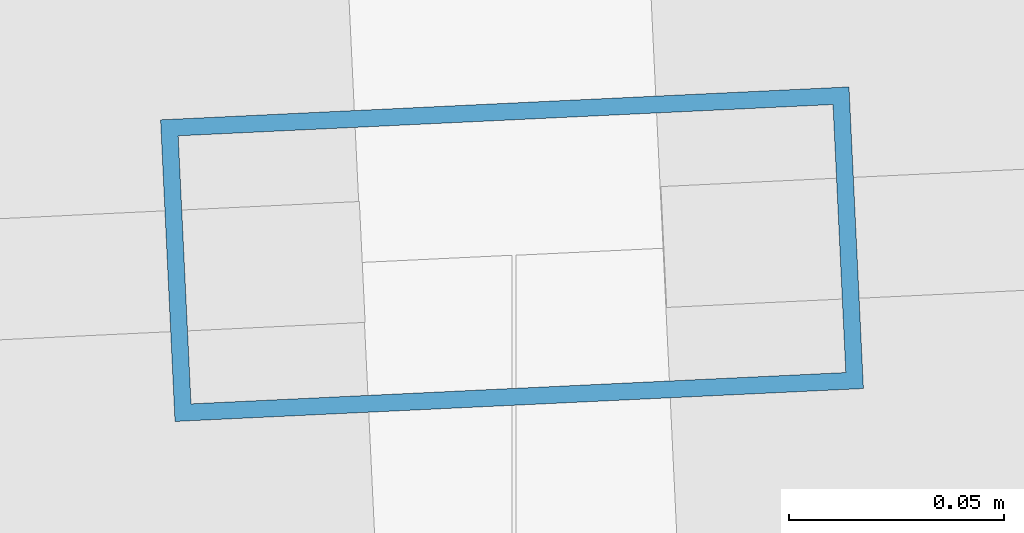
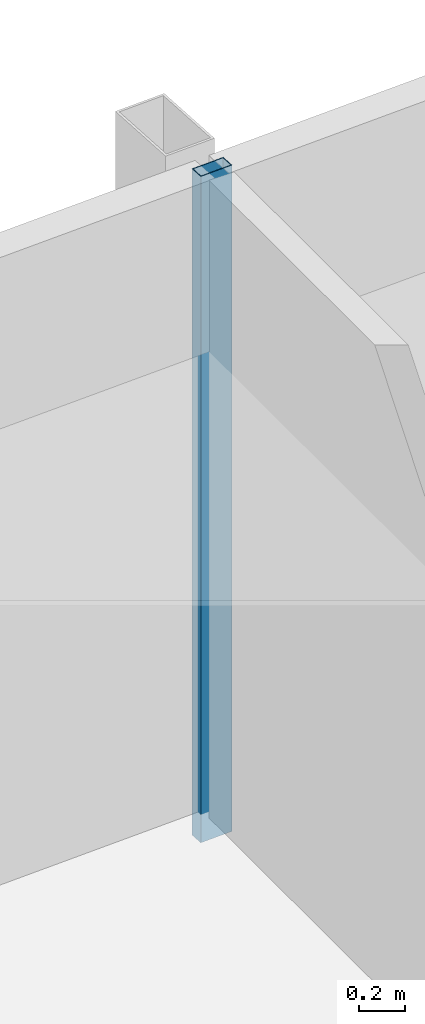
# One storey, part 19 of 36: 1 member, 1 element without a shape of its own.
"""IFC4 building model written with IfcOpenShell, lengths in metres."""

from ifc_helpers import new_model, si_unit, direction, frame, origin, origin_2d, place, context, subcontext, project, spatial, hollow_rectangle, extrude, material, material_profile, profile_set, type_object, element, aggregate, save


model = new_model("IFC4")

# Units and contexts
model_context = context("Model", 3, precision=1e-05, world=origin(), true_north=direction((0.0, 1.0)))
body_context = subcontext(model_context, "Body", "Model", "MODEL_VIEW")
ifc_project = project(units=[si_unit("LENGTHUNIT", "METRE"), si_unit("AREAUNIT", "SQUARE_METRE"), si_unit("VOLUMEUNIT", "CUBIC_METRE"), si_unit("PLANEANGLEUNIT", "RADIAN"), si_unit("MASSUNIT", "GRAM", prefix="KILO")], contexts=[model_context])

# Site, building, storey
site_placement = place(None, origin())
site = spatial("IfcSite", under=ifc_project, at=site_placement, CompositionType="ELEMENT")
building_placement = place(site_placement, origin())
building = spatial("IfcBuilding", under=site, at=building_placement, Name="Rekha Terrace Tower", CompositionType="ELEMENT")
storey_placement = place(building_placement, frame((0.0, 0.0, 172.699951171875)))
storey = spatial("IfcBuildingStorey", under=building, at=storey_placement, Name="L43", CompositionType="ELEMENT", Elevation=172.699951171875)

# Curtain wall, member
ifc_material_1 = material(Name="Aluminium framing", Category="aluminium")
curtain_wall_type = type_object("IfcCurtainWallType", Name="CW3 north unitised glazing", PredefinedType="USERDEFINED", material=ifc_material_1)
curtain_wall_placement = place(storey_placement, origin())
curtain_wall = element("IfcCurtainWall", 1, at=curtain_wall_placement, inside=storey, type_object=curtain_wall_type, Name="CW3 unitised curtain wall", ObjectType="UNITISED CURTAIN WALL", PredefinedType="USERDEFINED")
ifc_material_2 = material(Name="Aluminium mullion section", Category="aluminium")
ifc_material_profile = material_profile(ifc_material_2, hollow_rectangle(XDim=0.070068359375, YDim=0.159912109375, WallThickness=0.00390625, at=origin_2d()), Name="AL RHS 70x160")
ifc_profile_set = profile_set([ifc_material_profile], Name="Aluminium mullion section")
member_type = type_object("IfcMemberType", Name="CW3 mullion RHS 70 x 160", PredefinedType="MULLION", material=ifc_profile_set)
member_placement = place(storey_placement, frame((38.570068359375, 61.771240234375, 0.0), z_axis=(0.0, 0.0, 1.0), x_axis=(0.047758616983, -0.998858906204, 0.0)))
member = element("IfcMember", 2, at=member_placement, type_object=member_type, Name="CW3 mullion 2", PredefinedType="MULLION", context=body_context, shape_type="SweptSolid", body=[
    extrude(hollow_rectangle(XDim=0.070068359375, YDim=0.159912109375, WallThickness=0.00390625, at=origin_2d()), origin(), (0.0, 0.0, 1.0), 3.5),
])
aggregate(curtain_wall, [member])

save(model, "model.ifc")
